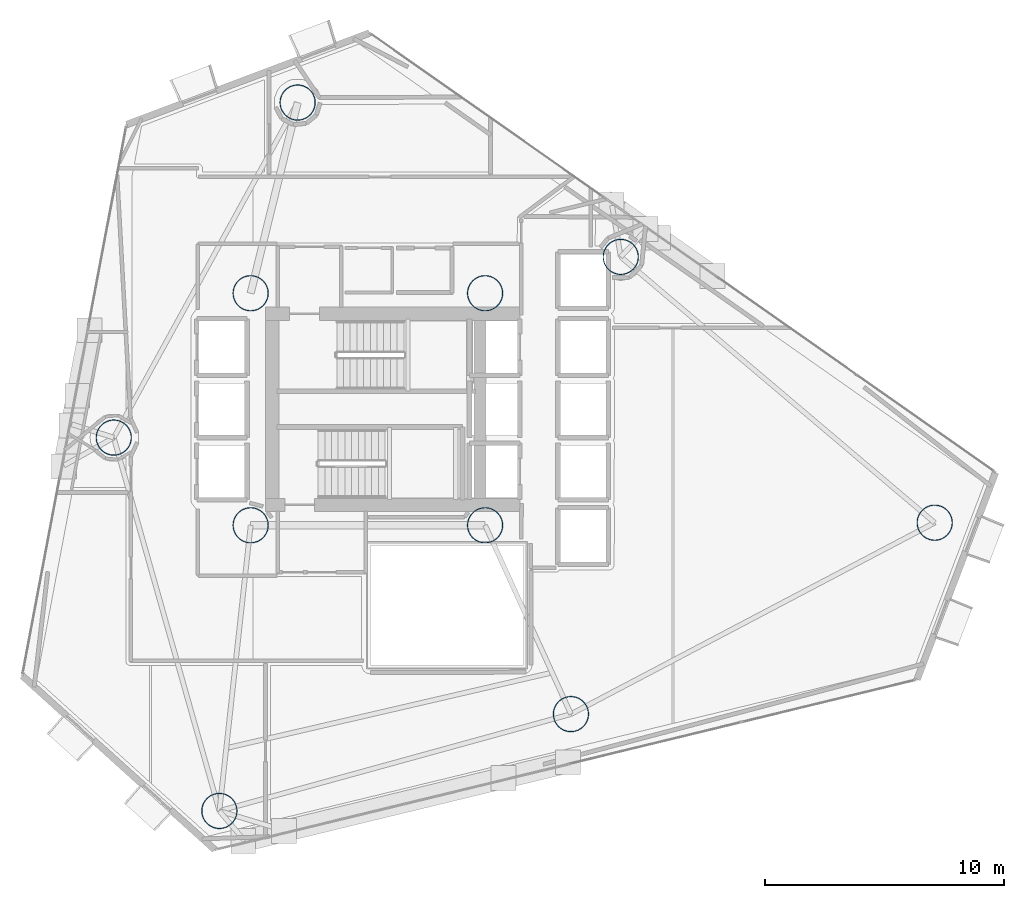
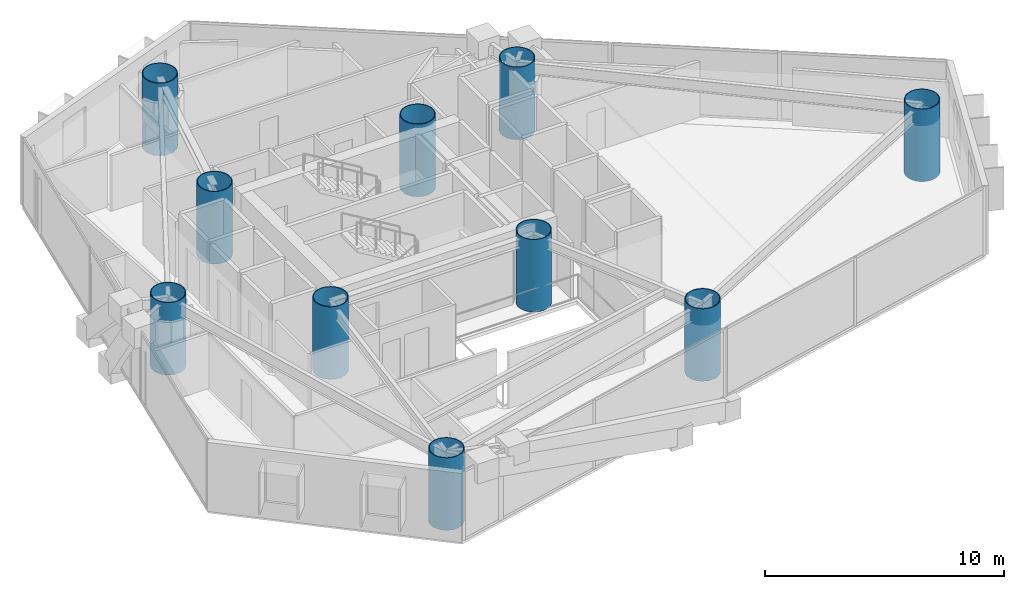
# One storey, part 1 of 24: 10 columns.
"""IFC4 building model written with IfcOpenShell, lengths in metres."""

from ifc_helpers import new_model, si_unit, direction, frame, origin, origin_2d, place, context, subcontext, project, spatial, hollow_circle, extrude, material, material_profile, profile_set, type_object, element, save


model = new_model("IFC4")

# Units and contexts
model_context = context("Model", 3, precision=1e-05, world=origin(), true_north=direction((0.0, 1.0)))
body_context = subcontext(model_context, "Body", "Model", "MODEL_VIEW")
ifc_project = project(units=[si_unit("LENGTHUNIT", "METRE"), si_unit("AREAUNIT", "SQUARE_METRE"), si_unit("VOLUMEUNIT", "CUBIC_METRE"), si_unit("PLANEANGLEUNIT", "RADIAN"), si_unit("MASSUNIT", "GRAM", prefix="KILO")], contexts=[model_context])

# Site, building, storey
site_placement = place(None, origin())
site = spatial("IfcSite", under=ifc_project, at=site_placement, CompositionType="ELEMENT")
building_placement = place(site_placement, origin())
building = spatial("IfcBuilding", under=site, at=building_placement, Name="Qianvela Tower", CompositionType="ELEMENT")
storey_placement = place(building_placement, frame((0.0, 0.0, 101.5)))
storey = spatial("IfcBuildingStorey", under=building, at=storey_placement, Name="L25", CompositionType="ELEMENT", Elevation=101.5)

# Columns
ifc_material = material(Name="Steel Q420GJC", Category="steel")
ifc_material_profile = material_profile(ifc_material, hollow_circle(Radius=0.75, WallThickness=0.035888671875, at=origin_2d()), Name="CFT-1500x36")
ifc_profile_set = profile_set([ifc_material_profile], Name="Steel Q420GJC")
column_type = type_object("IfcColumnType", Name="COL-CFT-1500x36", PredefinedType="COLUMN", material=ifc_profile_set)
for number, where, z_axis, x_axis, name in (
    (1, (28.60009765625, 33.550048828125, 0.0), (0.0, 0.0, 1.0), (1.0, 0.0, 0.0), "L25 Core Corner Mega-Column CC-NW"),
    (2, (28.60009765625, 23.85009765625, 0.0), (0.0, 0.0, 1.0), (1.0, 0.0, 0.0), "L25 Core Corner Mega-Column CC-SW"),
    (3, (38.39990234375, 33.550048828125, 0.0), (0.0, 0.0, 1.0), (1.0, 0.0, 0.0), "L25 Core Corner Mega-Column CC-NE"),
    (4, (38.39990234375, 23.85009765625, 0.0), (0.0, 0.0, 1.0), (1.0, 0.0, 0.0), "L25 Core Corner Mega-Column CC-SE"),
    (5, (57.194091796875, 23.9580078125, 0.0), (0.0, 0.0, 1.0), (1.0, 0.0, 0.0), "L25 Zone Z3 CFT Mega-Column C1"),
    (6, (44.071044921875, 35.070068359375, 0.0), (0.0, 0.0, 1.0), (1.0, 0.0, 0.0), "L25 Zone Z3 CFT Mega-Column C2"),
    (7, (30.56396484375, 41.52099609375, 0.0), (0.0, 0.0, 1.0), (1.0, 0.0, 0.0), "L25 Zone Z3 CFT Mega-Column C3"),
    (8, (22.8779296875, 27.51611328125, 0.0), (0.0, 0.0, 1.0), (1.0, 0.0, 0.0), "L25 Zone Z3 CFT Mega-Column C4"),
    (9, (27.2919921875, 11.908935546875, 0.0), (0.0, 0.0, 1.0), (1.0, 0.0, 0.0), "L25 Zone Z3 CFT Mega-Column C5"),
    (10, (41.988037109375, 15.95703125, 0.0), (0.0, 0.0, 1.0), (1.0, 0.0, 0.0), "L25 Zone Z3 CFT Mega-Column C6"),
):
    element("IfcColumn", number, at=place(storey_placement, frame(where, z_axis=z_axis, x_axis=x_axis)), inside=storey, type_object=column_type, Name=name, PredefinedType="COLUMN", context=body_context, shape_type="SweptSolid", body=[
        extrude(hollow_circle(Radius=0.75, WallThickness=0.035888671875, at=origin_2d()), origin(), (0.0, 0.0, 1.0), 3.699951171875),
    ])

save(model, "model.ifc")
